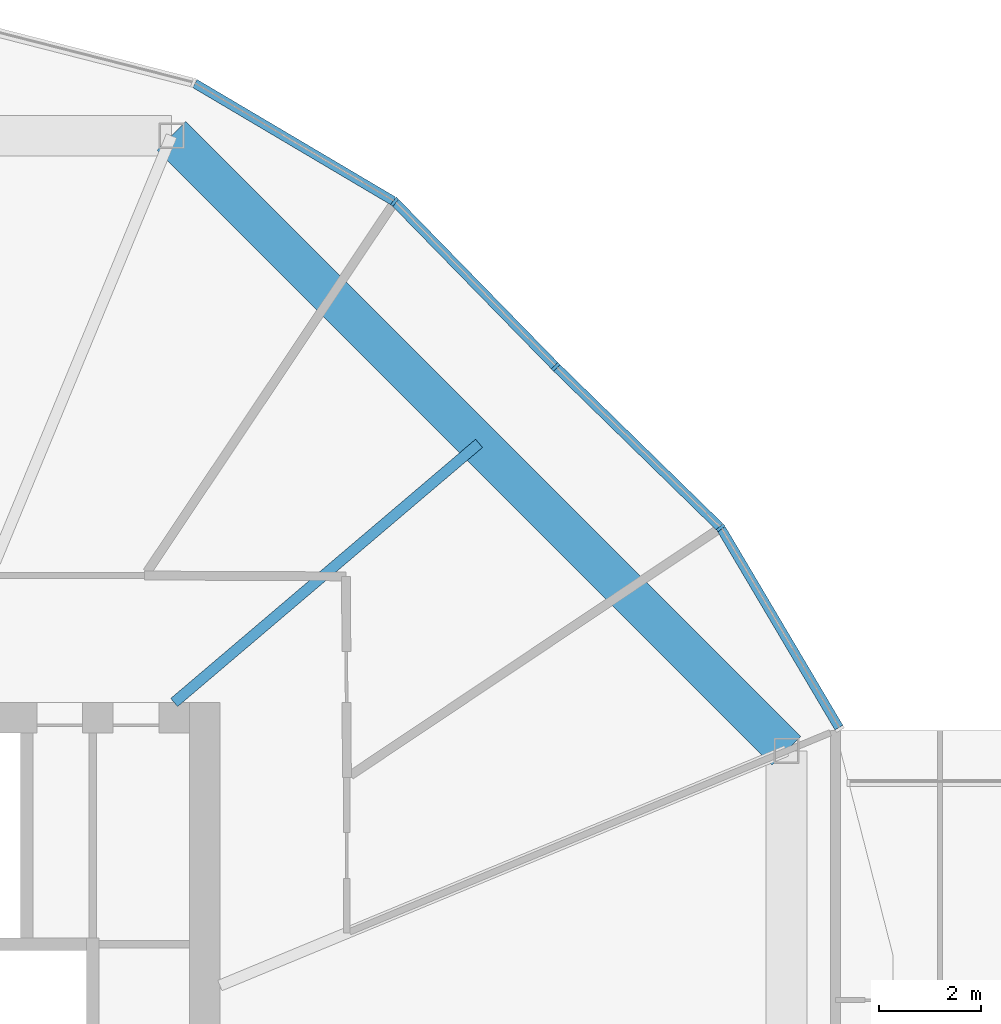
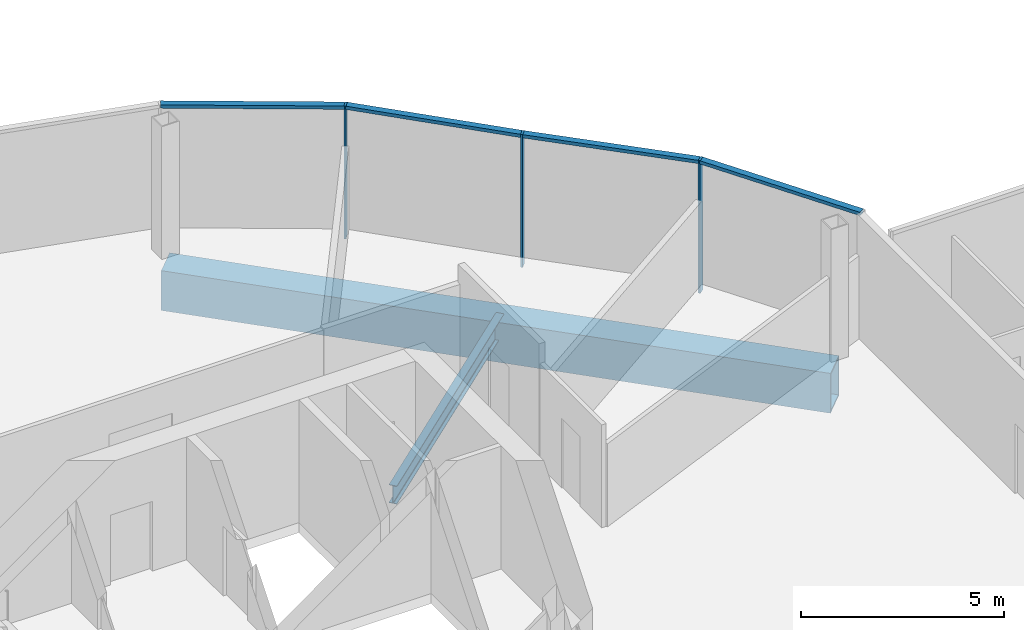
# One storey, part 10 of 25: 7 members, 2 beams, 2 elements without a shape of their own.
"""IFC4 building model written with IfcOpenShell, lengths in metres."""

from ifc_helpers import new_model, si_unit, direction, frame, origin, origin_2d, place, context, subcontext, project, spatial, rectangle, hollow_rectangle, i_section, extrude, material, material_profile, profile_set, type_object, element, aggregate, save


model = new_model("IFC4")

# Units and contexts
model_context = context("Model", 3, precision=1e-05, world=origin(), true_north=direction((0.0, 1.0)))
body_context = subcontext(model_context, "Body", "Model", "MODEL_VIEW")
ifc_project = project(units=[si_unit("LENGTHUNIT", "METRE"), si_unit("AREAUNIT", "SQUARE_METRE"), si_unit("VOLUMEUNIT", "CUBIC_METRE"), si_unit("PLANEANGLEUNIT", "RADIAN"), si_unit("MASSUNIT", "GRAM", prefix="KILO")], contexts=[model_context])

# Site, building, storey
site_placement = place(None, origin())
site = spatial("IfcSite", under=ifc_project, at=site_placement, CompositionType="ELEMENT")
building_placement = place(site_placement, origin())
building = spatial("IfcBuilding", under=site, at=building_placement, Name="Ogive Gate Towers", CompositionType="ELEMENT")
storey_placement = place(building_placement, frame((0.0, 0.0, 140.800048828125)))
storey = spatial("IfcBuildingStorey", under=building, at=storey_placement, Name="L33", CompositionType="ELEMENT", Elevation=140.800048828125)

# Beams
ifc_material_1 = material(Name="Steel SM460", Category="steel")
ifc_material_profile_1 = material_profile(ifc_material_1, hollow_rectangle(XDim=0.800048828125, YDim=1.199951171875, WallThickness=0.050048828125, at=origin_2d()), Name="BX 1200x800x50")
ifc_profile_set_1 = profile_set([ifc_material_profile_1], Name="Steel SM460")
beam_type_1 = type_object("IfcBeamType", Name="Edge girder BX 1200x800x50", PredefinedType="BEAM", material=ifc_profile_set_1)
beam_1_placement = place(storey_placement, frame((-15.360595703125, 8.549072265625, -0.900146484375), z_axis=(-0.707106781187, 0.707106781187, 0.0), x_axis=(-0.707106781187, -0.707106781187, 0.0)))
element("IfcBeam", 1, at=beam_1_placement, inside=storey, type_object=beam_type_1, Name="T1/L33/SBM021", PredefinedType="BEAM", context=body_context, shape_type="SweptSolid", body=[
    extrude(hollow_rectangle(XDim=0.800048828125, YDim=1.199951171875, WallThickness=0.050048828125, at=origin_2d()), origin(), (0.0, 0.0, 1.0), 17.098388671875),
])
ifc_material_2 = material(Name="Steel SM355", Category="steel")
ifc_material_profile_2 = material_profile(ifc_material_2, i_section(OverallWidth=0.2099609375, OverallDepth=0.550048828125, WebThickness=0.010986328125, FlangeThickness=0.01708984375, FilletRadius=0.02392578125, at=origin_2d()), Name="IPE 550")
ifc_profile_set_2 = profile_set([ifc_material_profile_2], Name="Steel SM355")
beam_type_2 = type_object("IfcBeamType", Name="Radial floor beam IPE 550", PredefinedType="BEAM", material=ifc_profile_set_2)
beam_2_placement = place(storey_placement, frame((-27.39990234375, 9.5, -0.574951171875), z_axis=(0.761988324045, 0.647590761222, 0.0), x_axis=(-0.647590761222, 0.761988324045, 0.0)))
element("IfcBeam", 2, at=beam_2_placement, inside=storey, type_object=beam_type_2, Name="T1/L33/SBM010", PredefinedType="BEAM", context=body_context, shape_type="SweptSolid", body=[
    extrude(i_section(OverallWidth=0.2099609375, OverallDepth=0.550048828125, WebThickness=0.010986328125, FlangeThickness=0.01708984375, FilletRadius=0.02392578125, at=origin_2d()), origin(), (0.0, 0.0, 1.0), 7.866455078125),
])

# Curtain wall, members
ifc_material_3 = material(Name="Pale metal aluminium", Category="aluminium")
curtain_wall_type = type_object("IfcCurtainWallType", Name="Tower unitised wall, high zone", PredefinedType="NOTDEFINED", material=ifc_material_3)
curtain_wall_1_placement = place(storey_placement, origin())
curtain_wall_1 = element("IfcCurtainWall", 3, at=curtain_wall_1_placement, inside=storey, type_object=curtain_wall_type, Name="CW2 T1 ECW01", PredefinedType="NOTDEFINED")
ifc_material_profile_3 = material_profile(ifc_material_3, rectangle(XDim=0.179931640625, YDim=0.06005859375, at=origin_2d()), Name="60 x 180 aluminium box")
ifc_profile_set_3 = profile_set([ifc_material_profile_3], Name="Pale metal aluminium")
member_type_1 = type_object("IfcMemberType", Name="Tower unitised wall, high zone mullion 60 x 180", PredefinedType="MULLION", material=ifc_profile_set_3)
member_1_placement = place(storey_placement, frame((-16.655029296875, 12.93408203125, -0.300048828125), z_axis=(0.0, 0.0, 1.0), x_axis=(0.786320782112, 0.617818442277, 0.0)))
member_1 = element("IfcMember", 4, at=member_1_placement, type_object=member_type_1, Name="CW2 mullion", PredefinedType="MULLION", context=body_context, shape_type="SweptSolid", body=[
    extrude(rectangle(XDim=0.179931640625, YDim=0.06005859375, at=origin_2d()), origin(), (0.0, 0.0, 1.0), 4.0),
])
member_2_placement = place(storey_placement, frame((-19.899169921875, 16.1005859375, -0.300048828125), z_axis=(0.0, 0.0, 1.0), x_axis=(0.69851520818, 0.715595209557, 0.0)))
member_2 = element("IfcMember", 5, at=member_2_placement, type_object=member_type_1, Name="CW2 mullion", PredefinedType="MULLION", context=body_context, shape_type="SweptSolid", body=[
    extrude(rectangle(XDim=0.179931640625, YDim=0.06005859375, at=origin_2d()), origin(), (0.0, 0.0, 1.0), 4.0),
])

# Curtain wall, member
curtain_wall_2_placement = place(storey_placement, origin())
curtain_wall_2 = element("IfcCurtainWall", 6, at=curtain_wall_2_placement, inside=storey, type_object=curtain_wall_type, Name="CW2 T1 ECW02", PredefinedType="NOTDEFINED")
member_3_placement = place(storey_placement, frame((-23.06591796875, 19.344970703125, -0.300048828125), z_axis=(0.0, 0.0, 1.0), x_axis=(0.617818442277, 0.786320782112, 0.0)))
member_3 = element("IfcMember", 7, at=member_3_placement, type_object=member_type_1, Name="CW2 mullion", PredefinedType="MULLION", context=body_context, shape_type="SweptSolid", body=[
    extrude(rectangle(XDim=0.179931640625, YDim=0.06005859375, at=origin_2d()), origin(), (0.0, 0.0, 1.0), 4.0),
])

# Member
ifc_material_profile_4 = material_profile(ifc_material_3, rectangle(XDim=0.179931640625, YDim=0.10009765625, at=origin_2d()), Name="100 x 180 aluminium box")
ifc_profile_set_4 = profile_set([ifc_material_profile_4], Name="Pale metal aluminium")
member_type_2 = type_object("IfcMemberType", Name="Tower unitised wall, high zone transom 100 x 180", PredefinedType="USERDEFINED", material=ifc_profile_set_4)
member_4_placement = place(storey_placement, frame((-14.330322265625, 9.006591796875, 3.64990234375), z_axis=(-0.509356692799, 0.860555494725, 0.0), x_axis=(-0.860555494725, -0.509356692799, 0.0)))
member_4 = element("IfcMember", 8, at=member_4_placement, type_object=member_type_2, Name="CW2 transom", ObjectType="TRANSOM", PredefinedType="USERDEFINED", context=body_context, shape_type="SweptSolid", body=[
    extrude(rectangle(XDim=0.179931640625, YDim=0.10009765625, at=origin_2d()), origin(), (0.0, 0.0, 1.0), 4.53515625),
])

member_5_placement = place(storey_placement, frame((-16.67578125, 12.9541015625, 3.64990234375), z_axis=(-0.715567063029, 0.698544041781, 0.0), x_axis=(-0.698544041781, -0.715567063029, 0.0)))
member_5 = element("IfcMember", 9, at=member_5_placement, type_object=member_type_2, Name="CW2 transom", ObjectType="TRANSOM", PredefinedType="USERDEFINED", context=body_context, shape_type="SweptSolid", body=[
    extrude(rectangle(XDim=0.179931640625, YDim=0.10009765625, at=origin_2d()), origin(), (0.0, 0.0, 1.0), 4.474609375),
])

aggregate(curtain_wall_1, [member_1, member_4, member_2, member_5])

member_6_placement = place(storey_placement, frame((-19.920166015625, 16.122314453125, 3.64990234375), z_axis=(-0.698544041781, 0.715567063029, 0.0), x_axis=(-0.715567063029, -0.698544041781, 0.0)))
member_6 = element("IfcMember", 10, at=member_6_placement, type_object=member_type_2, Name="CW2 transom", ObjectType="TRANSOM", PredefinedType="USERDEFINED", context=body_context, shape_type="SweptSolid", body=[
    extrude(rectangle(XDim=0.179931640625, YDim=0.10009765625, at=origin_2d()), origin(), (0.0, 0.0, 1.0), 4.474609375),
])

member_7_placement = place(storey_placement, frame((-23.090576171875, 19.359619140625, 3.64990234375), z_axis=(-0.860555494725, 0.509356692799, 0.0), x_axis=(-0.509356692799, -0.860555494725, 0.0)))
member_7 = element("IfcMember", 11, at=member_7_placement, type_object=member_type_2, Name="CW2 transom", ObjectType="TRANSOM", PredefinedType="USERDEFINED", context=body_context, shape_type="SweptSolid", body=[
    extrude(rectangle(XDim=0.179931640625, YDim=0.10009765625, at=origin_2d()), origin(), (0.0, 0.0, 1.0), 4.53515625),
])

aggregate(curtain_wall_2, [member_3, member_6, member_7])

save(model, "model.ifc")
